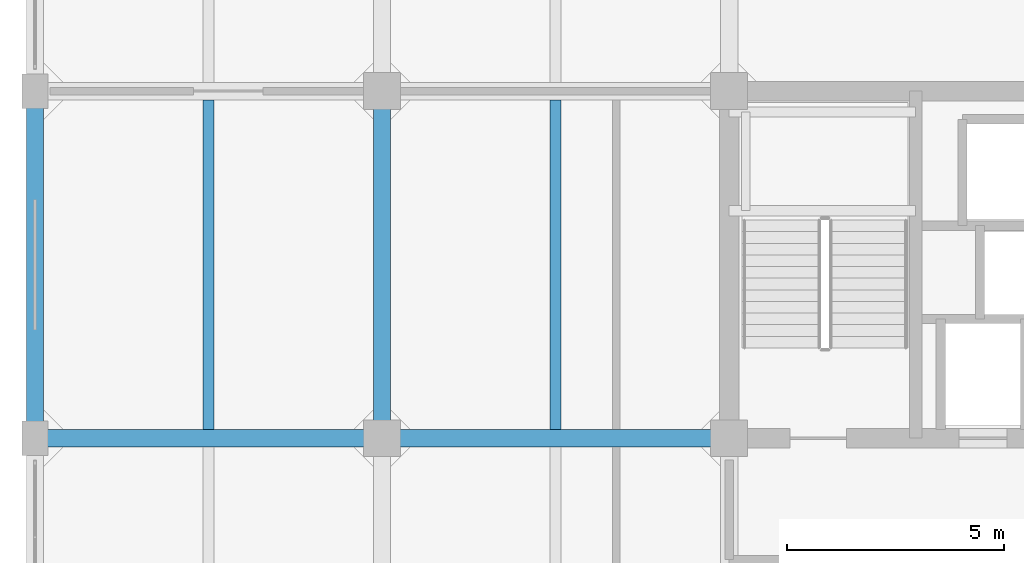
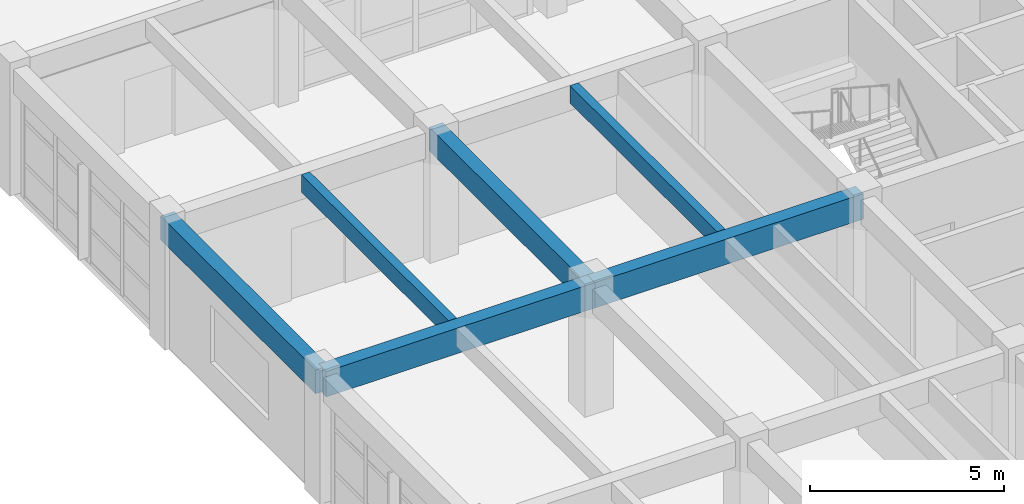
# One storey, part 14 of 30: 6 beams.
"""IFC4 building model written with IfcOpenShell, lengths in metres."""

from ifc_helpers import new_model, si_unit, direction, frame, origin, origin_2d, place, context, subcontext, project, spatial, rectangle, extrude, material, material_profile, profile_set, type_object, element, save


model = new_model("IFC4")

# Units and contexts
model_context = context("Model", 3, precision=1e-05, world=origin(), true_north=direction((0.0, 1.0)))
body_context = subcontext(model_context, "Body", "Model", "MODEL_VIEW")
ifc_project = project(units=[si_unit("LENGTHUNIT", "METRE"), si_unit("AREAUNIT", "SQUARE_METRE"), si_unit("VOLUMEUNIT", "CUBIC_METRE"), si_unit("PLANEANGLEUNIT", "RADIAN"), si_unit("MASSUNIT", "GRAM", prefix="KILO")], contexts=[model_context])

# Site, building, storey
site_placement = place(None, origin())
site = spatial("IfcSite", under=ifc_project, at=site_placement, CompositionType="ELEMENT")
building_placement = place(site_placement, origin())
building = spatial("IfcBuilding", under=site, at=building_placement, Name="Canggui Botanical Conservatory", CompositionType="ELEMENT")
storey_placement = place(building_placement, frame((0.0, 0.0, 19.199951171875)))
storey = spatial("IfcBuildingStorey", under=building, at=storey_placement, Name="L05", CompositionType="ELEMENT", Elevation=19.199951171875)

# Beams
ifc_material = material(Name="Concrete C35", Category="concrete")
ifc_material_profile_1 = material_profile(ifc_material, rectangle(XDim=0.25, YDim=0.550048828125, at=origin_2d()), Name="RB 250x550")
ifc_profile_set_1 = profile_set([ifc_material_profile_1], Name="Concrete C35")
beam_type_1 = type_object("IfcBeamType", Name="BM-JST03", PredefinedType="JOIST", material=ifc_profile_set_1)
for number, where, z_axis, x_axis, name in (
    (1, (142.0, 58.205078125, 3.68505859375), (0.0, 1.0, 0.0), (-1.0, 0.0, 0.0), "Secondary Floor Joist L05-1-5"),
    (2, (150.0, 58.205078125, 3.68505859375), (0.0, 1.0, 0.0), (-1.0, 0.0, 0.0), "Secondary Floor Joist L05-2-5"),
):
    element("IfcBeam", number, at=place(storey_placement, frame(where, z_axis=z_axis, x_axis=x_axis)), inside=storey, type_object=beam_type_1, Name=name, PredefinedType="JOIST", context=body_context, shape_type="SweptSolid", body=[
        extrude(rectangle(XDim=0.25, YDim=0.550048828125, at=origin_2d()), origin(), (0.0, 0.0, 1.0), 7.58984375),
    ])
ifc_material_profile_2 = material_profile(ifc_material, rectangle(XDim=0.39990234375, YDim=0.800048828125, at=origin_2d()), Name="RB 400x800")
ifc_profile_set_2 = profile_set([ifc_material_profile_2], Name="Concrete C35")
beam_type_2 = type_object("IfcBeamType", Name="BM-KL09", PredefinedType="BEAM", material=ifc_profile_set_2)
for number, where, z_axis, x_axis, name in (
    (3, (138.0, 58.0, 3.56005859375), (1.0, 0.0, 0.0), (0.0, 1.0, 0.0), "Frame Girder L05 Y58-1"),
    (4, (146.0, 58.0, 3.56005859375), (1.0, 0.0, 0.0), (0.0, 1.0, 0.0), "Frame Girder L05 Y58-2"),
):
    element("IfcBeam", number, at=place(storey_placement, frame(where, z_axis=z_axis, x_axis=x_axis)), inside=storey, type_object=beam_type_2, Name=name, PredefinedType="BEAM", context=body_context, shape_type="SweptSolid", body=[
        extrude(rectangle(XDim=0.39990234375, YDim=0.800048828125, at=origin_2d()), origin(), (0.0, 0.0, 1.0), 8.0),
    ])
ifc_material_profile_3 = material_profile(ifc_material, rectangle(XDim=0.39990234375, YDim=0.75, at=origin_2d()), Name="RB 400x750")
ifc_profile_set_3 = profile_set([ifc_material_profile_3], Name="Concrete C35")
beam_type_3 = type_object("IfcBeamType", Name="BM-KL10", PredefinedType="BEAM", material=ifc_profile_set_3)
for number, where, z_axis, x_axis, name in (
    (5, (138.0, 58.0, 3.5849609375), (0.0, 1.0, 0.0), (-1.0, 0.0, 0.0), "Frame Girder L05 X138-5"),
    (6, (146.0, 58.0, 3.5849609375), (0.0, 1.0, 0.0), (-1.0, 0.0, 0.0), "Frame Girder L05 X146-5"),
):
    element("IfcBeam", number, at=place(storey_placement, frame(where, z_axis=z_axis, x_axis=x_axis)), inside=storey, type_object=beam_type_3, Name=name, PredefinedType="BEAM", context=body_context, shape_type="SweptSolid", body=[
        extrude(rectangle(XDim=0.39990234375, YDim=0.75, at=origin_2d()), origin(), (0.0, 0.0, 1.0), 8.0),
    ])

save(model, "model.ifc")
